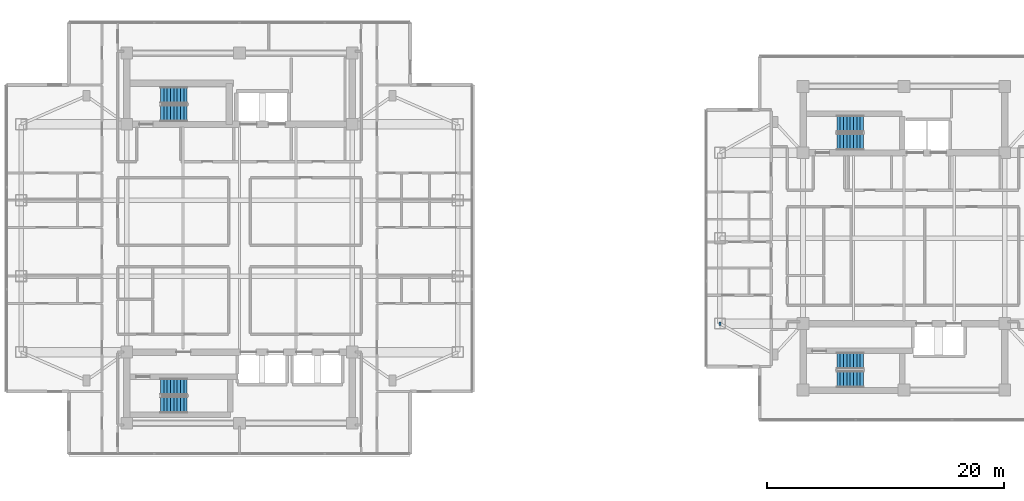
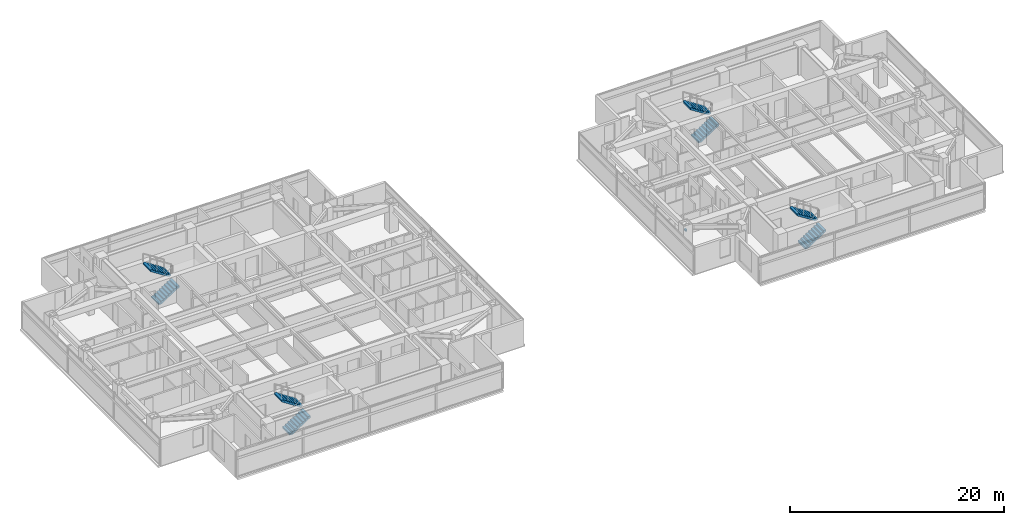
# One storey, part 18 of 24: 8 stair flights, 1 discrete accessory, 4 elements without a shape of their own.
"""IFC4 building model written with IfcOpenShell, lengths in metres."""

from ifc_helpers import new_model, si_unit, direction, frame, origin, origin_2d, place, context, subcontext, project, spatial, polyline, rectangle, outline, extrude, material, type_object, element, aggregate, save


model = new_model("IFC4")

# Units and contexts
model_context = context("Model", 3, precision=1e-05, world=origin(), true_north=direction((0.0, 1.0)))
body_context = subcontext(model_context, "Body", "Model", "MODEL_VIEW")
ifc_project = project(units=[si_unit("LENGTHUNIT", "METRE"), si_unit("AREAUNIT", "SQUARE_METRE"), si_unit("VOLUMEUNIT", "CUBIC_METRE"), si_unit("PLANEANGLEUNIT", "RADIAN"), si_unit("MASSUNIT", "GRAM", prefix="KILO")], contexts=[model_context])

# Site, building, storey
site_placement = place(None, origin())
site = spatial("IfcSite", under=ifc_project, at=site_placement, CompositionType="ELEMENT")
building_placement = place(site_placement, origin())
building = spatial("IfcBuilding", under=site, at=building_placement, Name="Mirazonda Arch Towers", CompositionType="ELEMENT")
storey_placement = place(building_placement, frame((0.0, 0.0, 154.39990234375)))
storey = spatial("IfcBuildingStorey", under=building, at=storey_placement, Name="L43", CompositionType="ELEMENT", Elevation=154.39990234375)

# Stair, stair flights
ifc_material_1 = material(Name="Concrete C40/50", Category="concrete")
stair_type = type_object("IfcStairType", Name="STAIR-CORE-1400", PredefinedType="HALF_TURN_STAIR", material=ifc_material_1)
stair_1_placement = place(storey_placement, origin())
stair_1 = element("IfcStair", 1, at=stair_1_placement, inside=storey, type_object=stair_type, Name="L43 Protected Exit Stair ST-T1N", PredefinedType="HALF_TURN_STAIR")
stair_flight_type = type_object("IfcStairFlightType", Name="FLIGHT-1400", PredefinedType="STRAIGHT", material=ifc_material_1)
stair_flight_1_placement = place(storey_placement, frame((13.85009765625, 38.52001953125, 0.0), z_axis=(0.0, 0.0, 1.0), x_axis=(1.0, 0.0, 0.0)))
stair_flight_1 = element("IfcStairFlight", 2, at=stair_flight_1_placement, type_object=stair_flight_type, Name="ST-T1N flight 1", NumberOfRisers=9, NumberOfTreads=8, PredefinedType="STRAIGHT", RiserHeight=0.180555556, TreadLength=0.28, context=body_context, shape_type="SweptSolid", body=[
    extrude(outline(polyline([(0.0, 0.0), (0.0, 0.1806640625), (0.280029296875, 0.1806640625), (0.280029296875, 0.361083984375), (0.56005859375, 0.361083984375), (0.56005859375, 0.541748046875), (0.840087890625, 0.541748046875), (0.840087890625, 0.72216796875), (1.1201171875, 0.72216796875), (1.1201171875, 0.90283203125), (1.39990234375, 0.90283203125), (1.39990234375, 1.083251953125), (1.679931640625, 1.083251953125), (1.679931640625, 1.263916015625), (1.9599609375, 1.263916015625), (1.9599609375, 1.4443359375), (2.239990234375, 1.4443359375), (2.239990234375, 1.625), (2.239990234375, 1.254150390625), (0.295166015625, 0.0), (0.0, 0.0)])), frame((0.0, 0.699951171875, 0.0), z_axis=(0.0, -1.0, 0.0), x_axis=(1.0, 0.0, 0.0)), (0.0, 0.0, 1.0), 1.39990234375),
])
stair_flight_2_placement = place(storey_placement, frame((16.090087890625, 40.06005859375, 1.625), z_axis=(0.0, 0.0, 1.0), x_axis=(-1.0, 0.0, 0.0)))
stair_flight_2 = element("IfcStairFlight", 3, at=stair_flight_2_placement, type_object=stair_flight_type, Name="ST-T1N flight 2", NumberOfRisers=9, NumberOfTreads=8, PredefinedType="STRAIGHT", RiserHeight=0.180555556, TreadLength=0.28, context=body_context, shape_type="SweptSolid", body=[
    extrude(outline(polyline([(0.0, 0.0), (0.0, 0.1806640625), (0.280029296875, 0.1806640625), (0.280029296875, 0.361083984375), (0.56005859375, 0.361083984375), (0.56005859375, 0.541748046875), (0.840087890625, 0.541748046875), (0.840087890625, 0.72216796875), (1.1201171875, 0.72216796875), (1.1201171875, 0.90283203125), (1.39990234375, 0.90283203125), (1.39990234375, 1.083251953125), (1.679931640625, 1.083251953125), (1.679931640625, 1.263916015625), (1.9599609375, 1.263916015625), (1.9599609375, 1.4443359375), (2.239990234375, 1.4443359375), (2.239990234375, 1.625), (2.239990234375, 1.254150390625), (0.295166015625, 0.0), (0.0, 0.0)])), frame((0.0, 0.699951171875, 0.0), z_axis=(0.0, -1.0, 0.0), x_axis=(1.0, 0.0, 0.0)), (0.0, 0.0, 1.0), 1.39990234375),
])
aggregate(stair_1, [stair_flight_1, stair_flight_2])

stair_2_placement = place(storey_placement, origin())
stair_2 = element("IfcStair", 4, at=stair_2_placement, inside=storey, type_object=stair_type, Name="L43 Protected Exit Stair ST-T1S", PredefinedType="HALF_TURN_STAIR")
stair_flight_3_placement = place(storey_placement, frame((13.85009765625, 13.949951171875, 0.0), z_axis=(0.0, 0.0, 1.0), x_axis=(1.0, 0.0, 0.0)))
stair_flight_3 = element("IfcStairFlight", 5, at=stair_flight_3_placement, type_object=stair_flight_type, Name="ST-T1S flight 1", NumberOfRisers=9, NumberOfTreads=8, PredefinedType="STRAIGHT", RiserHeight=0.180555556, TreadLength=0.28, context=body_context, shape_type="SweptSolid", body=[
    extrude(outline(polyline([(0.0, 0.0), (0.0, 0.1806640625), (0.280029296875, 0.1806640625), (0.280029296875, 0.361083984375), (0.56005859375, 0.361083984375), (0.56005859375, 0.541748046875), (0.840087890625, 0.541748046875), (0.840087890625, 0.72216796875), (1.1201171875, 0.72216796875), (1.1201171875, 0.90283203125), (1.39990234375, 0.90283203125), (1.39990234375, 1.083251953125), (1.679931640625, 1.083251953125), (1.679931640625, 1.263916015625), (1.9599609375, 1.263916015625), (1.9599609375, 1.4443359375), (2.239990234375, 1.4443359375), (2.239990234375, 1.625), (2.239990234375, 1.254150390625), (0.295166015625, 0.0), (0.0, 0.0)])), frame((0.0, 0.699951171875, 0.0), z_axis=(0.0, -1.0, 0.0), x_axis=(1.0, 0.0, 0.0)), (0.0, 0.0, 1.0), 1.39990234375),
])
stair_flight_4_placement = place(storey_placement, frame((16.090087890625, 15.489990234375, 1.625), z_axis=(0.0, 0.0, 1.0), x_axis=(-1.0, 0.0, 0.0)))
stair_flight_4 = element("IfcStairFlight", 6, at=stair_flight_4_placement, type_object=stair_flight_type, Name="ST-T1S flight 2", NumberOfRisers=9, NumberOfTreads=8, PredefinedType="STRAIGHT", RiserHeight=0.180555556, TreadLength=0.28, context=body_context, shape_type="SweptSolid", body=[
    extrude(outline(polyline([(0.0, 0.0), (0.0, 0.1806640625), (0.280029296875, 0.1806640625), (0.280029296875, 0.361083984375), (0.56005859375, 0.361083984375), (0.56005859375, 0.541748046875), (0.840087890625, 0.541748046875), (0.840087890625, 0.72216796875), (1.1201171875, 0.72216796875), (1.1201171875, 0.90283203125), (1.39990234375, 0.90283203125), (1.39990234375, 1.083251953125), (1.679931640625, 1.083251953125), (1.679931640625, 1.263916015625), (1.9599609375, 1.263916015625), (1.9599609375, 1.4443359375), (2.239990234375, 1.4443359375), (2.239990234375, 1.625), (2.239990234375, 1.254150390625), (0.295166015625, 0.0), (0.0, 0.0)])), frame((0.0, 0.699951171875, 0.0), z_axis=(0.0, -1.0, 0.0), x_axis=(1.0, 0.0, 0.0)), (0.0, 0.0, 1.0), 1.39990234375),
])
aggregate(stair_2, [stair_flight_3, stair_flight_4])

stair_3_placement = place(storey_placement, origin())
stair_3 = element("IfcStair", 7, at=stair_3_placement, inside=storey, type_object=stair_type, Name="L43 Protected Exit Stair ST-T2N", PredefinedType="HALF_TURN_STAIR")
stair_flight_5_placement = place(storey_placement, frame((70.85009765625, 36.1201171875, 0.0), z_axis=(0.0, 0.0, 1.0), x_axis=(1.0, 0.0, 0.0)))
stair_flight_5 = element("IfcStairFlight", 8, at=stair_flight_5_placement, type_object=stair_flight_type, Name="ST-T2N flight 1", NumberOfRisers=9, NumberOfTreads=8, PredefinedType="STRAIGHT", RiserHeight=0.180555556, TreadLength=0.28, context=body_context, shape_type="SweptSolid", body=[
    extrude(outline(polyline([(0.0, 0.0), (0.0, 0.1806640625), (0.280029296875, 0.1806640625), (0.280029296875, 0.361083984375), (0.56005859375, 0.361083984375), (0.56005859375, 0.541748046875), (0.840087890625, 0.541748046875), (0.840087890625, 0.72216796875), (1.1201171875, 0.72216796875), (1.1201171875, 0.90283203125), (1.39990234375, 0.90283203125), (1.39990234375, 1.083251953125), (1.679931640625, 1.083251953125), (1.679931640625, 1.263916015625), (1.9599609375, 1.263916015625), (1.9599609375, 1.4443359375), (2.239990234375, 1.4443359375), (2.239990234375, 1.625), (2.239990234375, 1.254150390625), (0.295166015625, 0.0), (0.0, 0.0)])), frame((0.0, 0.699951171875, 0.0), z_axis=(0.0, -1.0, 0.0), x_axis=(1.0, 0.0, 0.0)), (0.0, 0.0, 1.0), 1.39990234375),
])
stair_flight_6_placement = place(storey_placement, frame((73.090087890625, 37.659912109375, 1.625), z_axis=(0.0, 0.0, 1.0), x_axis=(-1.0, 0.0, 0.0)))
stair_flight_6 = element("IfcStairFlight", 9, at=stair_flight_6_placement, type_object=stair_flight_type, Name="ST-T2N flight 2", NumberOfRisers=9, NumberOfTreads=8, PredefinedType="STRAIGHT", RiserHeight=0.180555556, TreadLength=0.28, context=body_context, shape_type="SweptSolid", body=[
    extrude(outline(polyline([(0.0, 0.0), (0.0, 0.1806640625), (0.280029296875, 0.1806640625), (0.280029296875, 0.361083984375), (0.56005859375, 0.361083984375), (0.56005859375, 0.541748046875), (0.840087890625, 0.541748046875), (0.840087890625, 0.72216796875), (1.1201171875, 0.72216796875), (1.1201171875, 0.90283203125), (1.39990234375, 0.90283203125), (1.39990234375, 1.083251953125), (1.679931640625, 1.083251953125), (1.679931640625, 1.263916015625), (1.9599609375, 1.263916015625), (1.9599609375, 1.4443359375), (2.239990234375, 1.4443359375), (2.239990234375, 1.625), (2.239990234375, 1.254150390625), (0.295166015625, 0.0), (0.0, 0.0)])), frame((0.0, 0.699951171875, 0.0), z_axis=(0.0, -1.0, 0.0), x_axis=(1.0, 0.0, 0.0)), (0.0, 0.0, 1.0), 1.39990234375),
])
aggregate(stair_3, [stair_flight_5, stair_flight_6])

stair_4_placement = place(storey_placement, origin())
stair_4 = element("IfcStair", 10, at=stair_4_placement, inside=storey, type_object=stair_type, Name="L43 Protected Exit Stair ST-T2S", PredefinedType="HALF_TURN_STAIR")
stair_flight_7_placement = place(storey_placement, frame((70.85009765625, 16.1201171875, 0.0), z_axis=(0.0, 0.0, 1.0), x_axis=(1.0, 0.0, 0.0)))
stair_flight_7 = element("IfcStairFlight", 11, at=stair_flight_7_placement, type_object=stair_flight_type, Name="ST-T2S flight 1", NumberOfRisers=9, NumberOfTreads=8, PredefinedType="STRAIGHT", RiserHeight=0.180555556, TreadLength=0.28, context=body_context, shape_type="SweptSolid", body=[
    extrude(outline(polyline([(0.0, 0.0), (0.0, 0.1806640625), (0.280029296875, 0.1806640625), (0.280029296875, 0.361083984375), (0.56005859375, 0.361083984375), (0.56005859375, 0.541748046875), (0.840087890625, 0.541748046875), (0.840087890625, 0.72216796875), (1.1201171875, 0.72216796875), (1.1201171875, 0.90283203125), (1.39990234375, 0.90283203125), (1.39990234375, 1.083251953125), (1.679931640625, 1.083251953125), (1.679931640625, 1.263916015625), (1.9599609375, 1.263916015625), (1.9599609375, 1.4443359375), (2.239990234375, 1.4443359375), (2.239990234375, 1.625), (2.239990234375, 1.254150390625), (0.295166015625, 0.0), (0.0, 0.0)])), frame((0.0, 0.699951171875, 0.0), z_axis=(0.0, -1.0, 0.0), x_axis=(1.0, 0.0, 0.0)), (0.0, 0.0, 1.0), 1.39990234375),
])
stair_flight_8_placement = place(storey_placement, frame((73.090087890625, 17.659912109375, 1.625), z_axis=(0.0, 0.0, 1.0), x_axis=(-1.0, 0.0, 0.0)))
stair_flight_8 = element("IfcStairFlight", 12, at=stair_flight_8_placement, type_object=stair_flight_type, Name="ST-T2S flight 2", NumberOfRisers=9, NumberOfTreads=8, PredefinedType="STRAIGHT", RiserHeight=0.180555556, TreadLength=0.28, context=body_context, shape_type="SweptSolid", body=[
    extrude(outline(polyline([(0.0, 0.0), (0.0, 0.1806640625), (0.280029296875, 0.1806640625), (0.280029296875, 0.361083984375), (0.56005859375, 0.361083984375), (0.56005859375, 0.541748046875), (0.840087890625, 0.541748046875), (0.840087890625, 0.72216796875), (1.1201171875, 0.72216796875), (1.1201171875, 0.90283203125), (1.39990234375, 0.90283203125), (1.39990234375, 1.083251953125), (1.679931640625, 1.083251953125), (1.679931640625, 1.263916015625), (1.9599609375, 1.263916015625), (1.9599609375, 1.4443359375), (2.239990234375, 1.4443359375), (2.239990234375, 1.625), (2.239990234375, 1.254150390625), (0.295166015625, 0.0), (0.0, 0.0)])), frame((0.0, 0.699951171875, 0.0), z_axis=(0.0, -1.0, 0.0), x_axis=(1.0, 0.0, 0.0)), (0.0, 0.0, 1.0), 1.39990234375),
])
aggregate(stair_4, [stair_flight_7, stair_flight_8])

# Discrete accessory
ifc_material_2 = material(Name="Steel ASTM A572 Grade 50", Category="steel")
discrete_accessory_type = type_object("IfcDiscreteAccessoryType", Name="BRACKET-FACADE", PredefinedType="BRACKET", material=ifc_material_2)
discrete_accessory_placement = place(storey_placement, frame((61.0, 20.800048828125, 2.30029296875), z_axis=(0.0, 0.0, 1.0), x_axis=(1.0, 0.0, 0.0)))
element("IfcDiscreteAccessory", 13, at=discrete_accessory_placement, inside=storey, type_object=discrete_accessory_type, Name="L43 Facade Support Bracket 05", PredefinedType="BRACKET", context=body_context, shape_type="SweptSolid", body=[
    extrude(rectangle(XDim=0.179931640625, YDim=0.280029296875, at=origin_2d()), origin(), (0.0, 0.0, 1.0), 0.199951171875),
])

save(model, "model.ifc")
